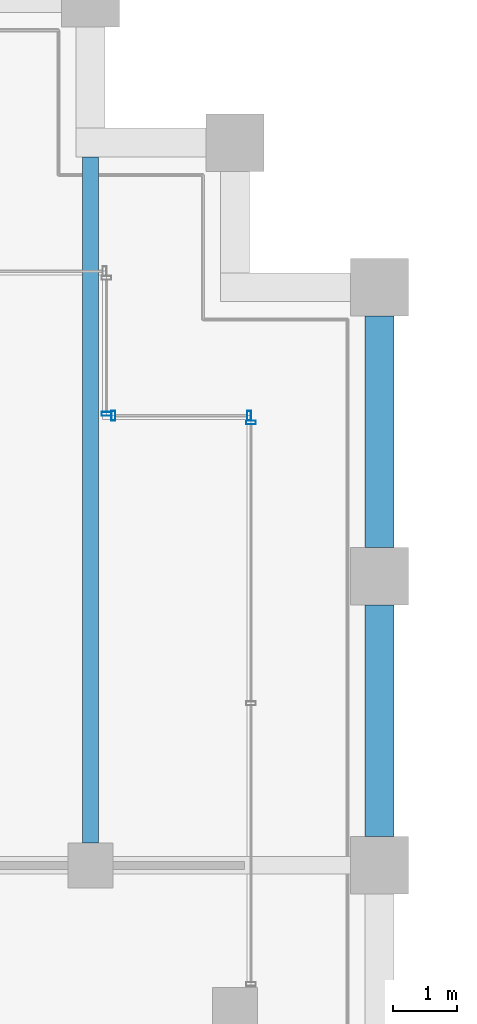
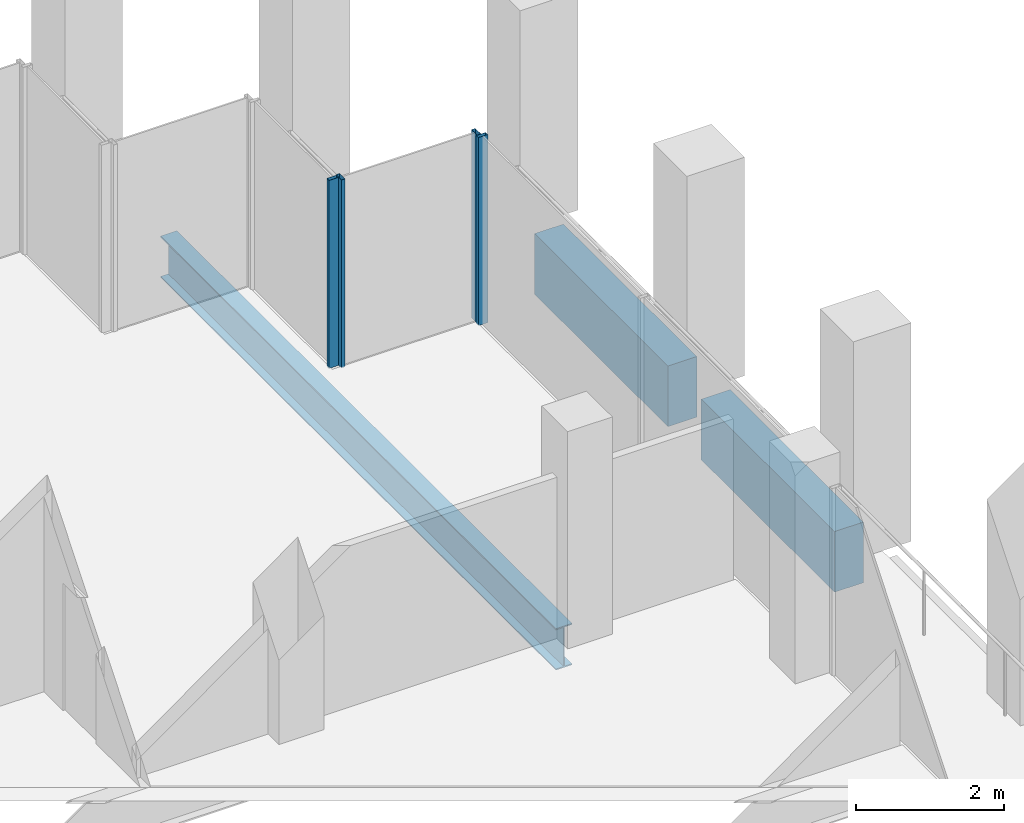
# One storey, part 25 of 40: 4 members, 3 beams, 3 elements without a shape of their own.
"""IFC4 building model written with IfcOpenShell, lengths in metres."""

from ifc_helpers import new_model, si_unit, direction, frame, origin, origin_2d, place, context, subcontext, project, spatial, rectangle, hollow_rectangle, i_section, extrude, material, material_profile, profile_set, type_object, element, aggregate, save


model = new_model("IFC4")

# Units and contexts
model_context = context("Model", 3, precision=1e-05, world=origin(), true_north=direction((0.0, 1.0)))
body_context = subcontext(model_context, "Body", "Model", "MODEL_VIEW")
ifc_project = project(units=[si_unit("LENGTHUNIT", "METRE"), si_unit("AREAUNIT", "SQUARE_METRE"), si_unit("VOLUMEUNIT", "CUBIC_METRE"), si_unit("PLANEANGLEUNIT", "RADIAN"), si_unit("MASSUNIT", "GRAM", prefix="KILO")], contexts=[model_context])

# Site, building, storey
site_placement = place(None, origin())
site = spatial("IfcSite", under=ifc_project, at=site_placement, CompositionType="ELEMENT")
building_placement = place(site_placement, origin())
building = spatial("IfcBuilding", under=site, at=building_placement, Name="Altepetl Exchange Towers", CompositionType="ELEMENT")
storey_placement = place(building_placement, frame((0.0, 0.0, 151.0)))
storey = spatial("IfcBuildingStorey", under=building, at=storey_placement, Name="L37", CompositionType="ELEMENT", Elevation=151.0)

# Beam
ifc_material_1 = material(Name="Steel S355", Category="steel")
ifc_material_profile_1 = material_profile(ifc_material_1, i_section(OverallWidth=0.25390625, OverallDepth=0.68408203125, WebThickness=0.012451171875, FlangeThickness=0.018798828125, at=origin_2d()), Name="W27X94")
ifc_profile_set_1 = profile_set([ifc_material_profile_1], Name="Steel S355")
beam_type_1 = type_object("IfcBeamType", Name="Floor beam W27X94", PredefinedType="BEAM", material=ifc_profile_set_1)
beam_placement = place(storey_placement, frame((67.5, 58.85009765625, -0.491943359375), z_axis=(0.0, 1.0, 0.0), x_axis=(-1.0, 0.0, 0.0)))
element("IfcBeam", 1, at=beam_placement, inside=storey, type_object=beam_type_1, Name="bm:A:L37:005", PredefinedType="BEAM", context=body_context, shape_type="SweptSolid", body=[
    extrude(i_section(OverallWidth=0.25390625, OverallDepth=0.68408203125, WebThickness=0.012451171875, FlangeThickness=0.018798828125, at=origin_2d()), origin(), (0.0, 0.0, 1.0), 10.6748046875),
])

# Curtain wall, member
ifc_material_2 = material(Name="Aluminium 6063-T6 glazing", Category="aluminium")
curtain_wall_type = type_object("IfcCurtainWallType", Name="Loggia glazing system", PredefinedType="NOTDEFINED", material=ifc_material_2)
curtain_wall_1_placement = place(storey_placement, origin())
curtain_wall_1 = element("IfcCurtainWall", 2, at=curtain_wall_1_placement, inside=storey, type_object=curtain_wall_type, Name="CW1 run", PredefinedType="NOTDEFINED")
ifc_material_3 = material(Name="Aluminium 6063-T6", Category="aluminium")
ifc_material_profile_2 = material_profile(ifc_material_3, hollow_rectangle(XDim=0.06005859375, YDim=0.14990234375, WallThickness=0.0029296875, at=origin_2d()), Name="Mullion 60x150 aluminium")
ifc_profile_set_2 = profile_set([ifc_material_profile_2], Name="Aluminium 6063-T6")
member_type = type_object("IfcMemberType", Name="Mullion 60x150 aluminium", PredefinedType="MULLION", material=ifc_profile_set_2)
member_1_placement = place(storey_placement, frame((70.0, 65.39501953125, 0.0), z_axis=(0.0, 0.0, 1.0), x_axis=(0.0, 1.0, 0.0)))
member_1 = element("IfcMember", 3, at=member_1_placement, type_object=member_type, Name="MU1 mullion", PredefinedType="MULLION", context=body_context, shape_type="SweptSolid", body=[
    extrude(hollow_rectangle(XDim=0.06005859375, YDim=0.14990234375, WallThickness=0.0029296875, at=origin_2d()), origin(), (0.0, 0.0, 1.0), 3.10009765625),
])
aggregate(curtain_wall_1, [member_1])

# Curtain wall, members
curtain_wall_2_placement = place(storey_placement, origin())
curtain_wall_2 = element("IfcCurtainWall", 4, at=curtain_wall_2_placement, inside=storey, type_object=curtain_wall_type, Name="CW1 run", PredefinedType="NOTDEFINED")
member_2_placement = place(storey_placement, frame((69.969970703125, 65.5, 0.0), z_axis=(0.0, 0.0, 1.0), x_axis=(-1.0, 0.0, 0.0)))
member_2 = element("IfcMember", 5, at=member_2_placement, type_object=member_type, Name="MU1 mullion", PredefinedType="MULLION", context=body_context, shape_type="SweptSolid", body=[
    extrude(hollow_rectangle(XDim=0.06005859375, YDim=0.14990234375, WallThickness=0.0029296875, at=origin_2d()), origin(), (0.0, 0.0, 1.0), 3.10009765625),
])
member_3_placement = place(storey_placement, frame((67.85498046875, 65.5, 0.0), z_axis=(0.0, 0.0, 1.0), x_axis=(-1.0, 0.0, 0.0)))
member_3 = element("IfcMember", 6, at=member_3_placement, type_object=member_type, Name="MU1 mullion", PredefinedType="MULLION", context=body_context, shape_type="SweptSolid", body=[
    extrude(hollow_rectangle(XDim=0.06005859375, YDim=0.14990234375, WallThickness=0.0029296875, at=origin_2d()), origin(), (0.0, 0.0, 1.0), 3.10009765625),
])
aggregate(curtain_wall_2, [member_2, member_3])

# Curtain wall, member
curtain_wall_3_placement = place(storey_placement, origin())
curtain_wall_3 = element("IfcCurtainWall", 7, at=curtain_wall_3_placement, inside=storey, type_object=curtain_wall_type, Name="CW1 run", PredefinedType="NOTDEFINED")
member_4_placement = place(storey_placement, frame((67.75, 65.530029296875, 0.0), z_axis=(0.0, 0.0, 1.0), x_axis=(0.0, 1.0, 0.0)))
member_4 = element("IfcMember", 8, at=member_4_placement, type_object=member_type, Name="MU1 mullion", PredefinedType="MULLION", context=body_context, shape_type="SweptSolid", body=[
    extrude(hollow_rectangle(XDim=0.06005859375, YDim=0.14990234375, WallThickness=0.0029296875, at=origin_2d()), origin(), (0.0, 0.0, 1.0), 3.10009765625),
])
aggregate(curtain_wall_3, [member_4])

# Beams
ifc_material_4 = material(Name="Concrete C50/60 precast with cantera rosa facing", Category="concrete")
ifc_material_profile_3 = material_profile(ifc_material_4, rectangle(XDim=0.449951171875, YDim=1.0, at=origin_2d()), Name="450 x 1000")
ifc_profile_set_3 = profile_set([ifc_material_profile_3], Name="Concrete C50/60 precast with cantera rosa facing")
beam_type_2 = type_object("IfcBeamType", Name="Spandrel beam 450x1000 cantera rosa", PredefinedType="SPANDREL", material=ifc_profile_set_3)
for number, where, z_axis, x_axis, name in (
    (9, (72.0, 58.949951171875, -0.64990234375), (0.0, 1.0, 0.0), (-1.0, 0.0, 0.0), "sp:A:L37:018"),
    (10, (72.0, 63.449951171875, -0.64990234375), (0.0, 1.0, 0.0), (-1.0, 0.0, 0.0), "sp:A:L37:019"),
):
    element("IfcBeam", number, at=place(storey_placement, frame(where, z_axis=z_axis, x_axis=x_axis)), inside=storey, type_object=beam_type_2, Name=name, PredefinedType="SPANDREL", context=body_context, shape_type="SweptSolid", body=[
        extrude(rectangle(XDim=0.449951171875, YDim=1.0, at=origin_2d()), origin(), (0.0, 0.0, 1.0), 3.60009765625),
    ])

save(model, "model.ifc")
